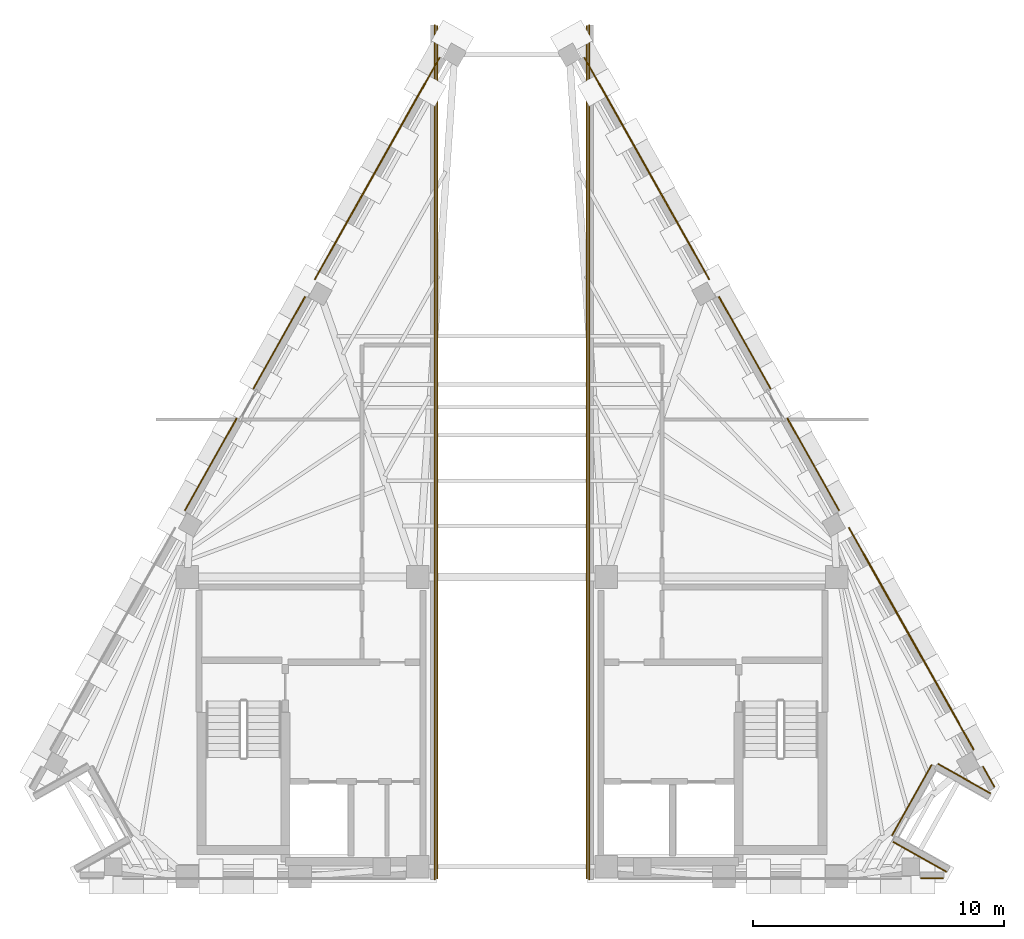
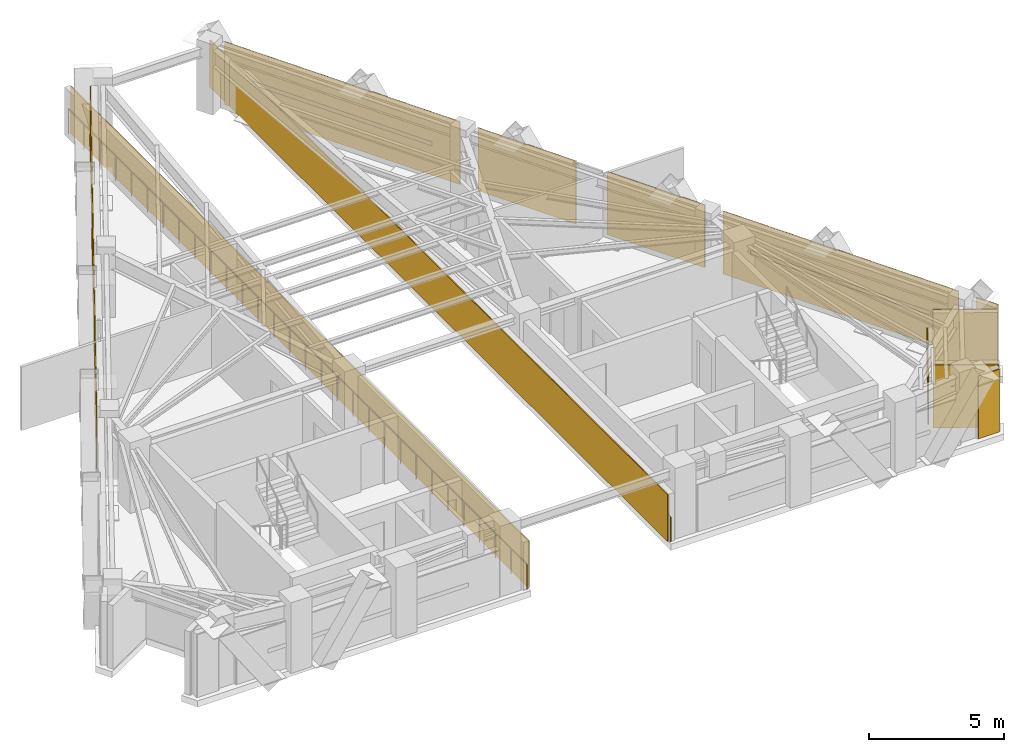
# One storey, part 6 of 6: 14 coverings, 3 shading devices, 2 railings.
"""IFC4 building model written with IfcOpenShell, lengths in metres."""

from ifc_helpers import new_model, si_unit, direction, frame, origin, origin_2d, place, context, subcontext, project, spatial, polyline, rectangle, circle, outline, extrude, material, layer, layer_set, material_profile, profile_set, type_object, element, save


model = new_model("IFC4")

# Units and contexts
model_context = context("Model", 3, precision=1e-05, world=origin(), true_north=direction((0.0, 1.0)))
body_context = subcontext(model_context, "Body", "Model", "MODEL_VIEW")
ifc_project = project(units=[si_unit("LENGTHUNIT", "METRE"), si_unit("AREAUNIT", "SQUARE_METRE"), si_unit("VOLUMEUNIT", "CUBIC_METRE"), si_unit("PLANEANGLEUNIT", "RADIAN"), si_unit("MASSUNIT", "GRAM", prefix="KILO")], contexts=[model_context])

# Site, building, storey
site_placement = place(None, origin())
site = spatial("IfcSite", under=ifc_project, at=site_placement, CompositionType="ELEMENT")
building_placement = place(site_placement, origin())
building = spatial("IfcBuilding", under=site, at=building_placement, Name="Quenlor Broadcast Tower", CompositionType="ELEMENT")
storey_placement = place(building_placement, frame((0.0, 0.0, 277.300048828125)))
storey = spatial("IfcBuildingStorey", under=building, at=storey_placement, Name="L77", CompositionType="ELEMENT", Elevation=277.300048828125)

# Coverings
ifc_material_1 = material(Name="Architectural Terracotta Ceramic", Category="masonry")
ifc_layer = layer(ifc_material_1, 0.044921875)
ifc_layer_set = layer_set([ifc_layer], Name="Fluted Terracotta Rainscreen Cladding Panel")
covering_type = type_object("IfcCoveringType", Name="Fluted Terracotta Rainscreen Cladding Panel", PredefinedType="CLADDING", material=ifc_layer_set)
covering_1_placement = place(storey_placement, frame((0.0, 0.0, 0.02001953125)))
element("IfcCovering", 1, at=covering_1_placement, inside=storey, type_object=covering_type, Name="L77 Terracotta Rainscreen Cladding L77-SHD-SS0", PredefinedType="CLADDING", context=body_context, shape_type="SweptSolid", body=[
    extrude(outline(polyline([(17.18994140625, -16.787109375), (16.28271484375, -16.787109375), (16.28271484375, -16.83203125), (17.18994140625, -16.83203125), (17.18994140625, -16.787109375)])), origin(), (0.0, 0.0, 1.0), 2.83984375),
])
covering_2_placement = place(storey_placement, frame((0.0, 0.0, 0.02001953125)))
element("IfcCovering", 2, at=covering_2_placement, inside=storey, type_object=covering_type, Name="L77 Terracotta Rainscreen Cladding L77-SHD-NES1", PredefinedType="CLADDING", context=body_context, shape_type="SweptSolid", body=[
    extrude(outline(polyline([(18.751708984375, -12.37109375), (19.210205078125, -13.185791015625), (19.24951171875, -13.163818359375), (18.791015625, -12.34912109375), (18.751708984375, -12.37109375)])), origin(), (0.0, 0.0, 1.0), 2.83984375),
])
covering_3_placement = place(storey_placement, frame((0.0, 0.0, 0.02001953125)))
element("IfcCovering", 3, at=covering_3_placement, inside=storey, type_object=covering_type, Name="L77 Terracotta Rainscreen Cladding L77-EW-NEA", PredefinedType="CLADDING", context=body_context, shape_type="SweptSolid", body=[
    extrude(outline(polyline([(2.86279296875, 15.896240234375), (7.84228515625, 7.044189453125), (7.881591796875, 7.066162109375), (2.902099609375, 15.918212890625), (2.86279296875, 15.896240234375)])), origin(), (0.0, 0.0, 1.0), 2.83984375),
])
covering_4_placement = place(storey_placement, frame((0.0, 0.0, 0.02001953125)))
element("IfcCovering", 4, at=covering_4_placement, inside=storey, type_object=covering_type, Name="L77 Terracotta Rainscreen Cladding L77-EW-NEC", PredefinedType="CLADDING", context=body_context, shape_type="SweptSolid", body=[
    extrude(outline(polyline([(13.40380859375, -2.843017578125), (18.383056640625, -11.695068359375), (18.42236328125, -11.673095703125), (13.443115234375, -2.821044921875), (13.40380859375, -2.843017578125)])), origin(), (0.0, 0.0, 1.0), 2.83984375),
])
covering_5_placement = place(storey_placement, frame((0.0, 0.0, 0.02001953125)))
element("IfcCovering", 5, at=covering_5_placement, inside=storey, type_object=covering_type, Name="L77 Terracotta Rainscreen Cladding L77-NE-SP1", PredefinedType="CLADDING", context=body_context, shape_type="SweptSolid", body=[
    extrude(outline(polyline([(8.22705078125, 6.35986328125), (10.294677734375, 2.68408203125), (10.333984375, 2.706298828125), (8.266357421875, 6.3818359375), (8.22705078125, 6.35986328125)])), origin(), (0.0, 0.0, 1.0), 2.83984375),
])
covering_6_placement = place(storey_placement, frame((0.0, 0.0, 0.02001953125)))
element("IfcCovering", 6, at=covering_6_placement, inside=storey, type_object=covering_type, Name="L77 Terracotta Rainscreen Cladding L77-NE-SP2", PredefinedType="CLADDING", context=body_context, shape_type="SweptSolid", body=[
    extrude(outline(polyline([(10.951416015625, 1.51708984375), (13.018798828125, -2.15869140625), (13.05810546875, -2.13671875), (10.990478515625, 1.5390625), (10.951416015625, 1.51708984375)])), origin(), (0.0, 0.0, 1.0), 2.83984375),
])
covering_7_placement = place(storey_placement, frame((0.0, 0.0, 0.02001953125)))
element("IfcCovering", 7, at=covering_7_placement, inside=storey, type_object=covering_type, Name="L77 Terracotta Rainscreen Cladding L77-EW-NWC", PredefinedType="CLADDING", context=body_context, shape_type="SweptSolid", body=[
    extrude(outline(polyline([(-7.84228515625, 7.044189453125), (-2.86279296875, 15.896240234375), (-2.902099609375, 15.918212890625), (-7.881591796875, 7.066162109375), (-7.84228515625, 7.044189453125)])), origin(), (0.0, 0.0, 1.0), 2.83984375),
])
covering_8_placement = place(storey_placement, frame((0.0, 0.0, 0.02001953125)))
element("IfcCovering", 8, at=covering_8_placement, inside=storey, type_object=covering_type, Name="L77 Terracotta Rainscreen Cladding L77-NW-SP1", PredefinedType="CLADDING", context=body_context, shape_type="SweptSolid", body=[
    extrude(outline(polyline([(-13.018798828125, -2.15869140625), (-10.951416015625, 1.51708984375), (-10.990478515625, 1.5390625), (-13.05810546875, -2.13671875), (-13.018798828125, -2.15869140625)])), origin(), (0.0, 0.0, 1.0), 2.83984375),
])
covering_9_placement = place(storey_placement, frame((0.0, 0.0, 0.02001953125)))
element("IfcCovering", 9, at=covering_9_placement, inside=storey, type_object=covering_type, Name="L77 Terracotta Rainscreen Cladding L77-NW-SP2", PredefinedType="CLADDING", context=body_context, shape_type="SweptSolid", body=[
    extrude(outline(polyline([(-10.294677734375, 2.68408203125), (-8.22705078125, 6.35986328125), (-8.266357421875, 6.3818359375), (-10.333984375, 2.706298828125), (-10.294677734375, 2.68408203125)])), origin(), (0.0, 0.0, 1.0), 2.83984375),
])
covering_10_placement = place(storey_placement, frame((0.0, 0.0, 0.02001953125)))
element("IfcCovering", 10, at=covering_10_placement, inside=storey, type_object=covering_type, Name="L77 Terracotta Rainscreen Cladding L77-CNR-01", PredefinedType="CLADDING", context=body_context, shape_type="SweptSolid", body=[
    extrude(outline(polyline([(17.32666015625, -16.529541015625), (15.199951171875, -15.333251953125), (15.177978515625, -15.372314453125), (17.3046875, -16.568603515625), (17.32666015625, -16.529541015625)])), origin(), (0.0, 0.0, 1.0), 2.83984375),
])
covering_11_placement = place(storey_placement, frame((0.0, 0.0, 0.02001953125)))
element("IfcCovering", 11, at=covering_11_placement, inside=storey, type_object=covering_type, Name="L77 Terracotta Rainscreen Cladding L77-CNR-02", PredefinedType="CLADDING", context=body_context, shape_type="SweptSolid", body=[
    extrude(outline(polyline([(15.16552734375, -15.10498046875), (16.7421875, -12.302001953125), (16.702880859375, -12.280029296875), (15.126220703125, -15.0830078125), (15.16552734375, -15.10498046875)])), origin(), (0.0, 0.0, 1.0), 2.1240234375),
])
covering_12_placement = place(storey_placement, frame((0.0, 0.0, 0.02001953125)))
element("IfcCovering", 12, at=covering_12_placement, inside=storey, type_object=covering_type, Name="L77 Terracotta Rainscreen Cladding L77-CNR-03", PredefinedType="CLADDING", context=body_context, shape_type="SweptSolid", body=[
    extrude(outline(polyline([(16.970458984375, -12.267578125), (19.062255859375, -13.444091796875), (19.084228515625, -13.405029296875), (16.992431640625, -12.228271484375), (16.970458984375, -12.267578125)])), origin(), (0.0, 0.0, 1.0), 2.83984375),
])
covering_13_placement = place(storey_placement, frame((0.0, 0.0, 0.02001953125)))
element("IfcCovering", 13, at=covering_13_placement, inside=storey, type_object=covering_type, Name="L77 Terracotta Rainscreen Cladding L77-WP-CHKW", PredefinedType="CLADDING", context=body_context, shape_type="SweptSolid", body=[
    extrude(outline(polyline([(-3.008056640625, 17.169921875), (-3.008056640625, -16.820068359375), (-2.962890625, -16.820068359375), (-2.962890625, 17.169921875), (-3.008056640625, 17.169921875)])), origin(), (0.0, 0.0, 1.0), 2.1240234375),
])
covering_14_placement = place(storey_placement, frame((0.0, 0.0, 0.02001953125)))
element("IfcCovering", 14, at=covering_14_placement, inside=storey, type_object=covering_type, Name="L77 Terracotta Rainscreen Cladding L77-WP-CHKE", PredefinedType="CLADDING", context=body_context, shape_type="SweptSolid", body=[
    extrude(outline(polyline([(3.008056640625, -16.820068359375), (3.008056640625, 17.169921875), (2.962890625, 17.169921875), (2.962890625, -16.820068359375), (3.008056640625, -16.820068359375)])), origin(), (0.0, 0.0, 1.0), 2.1240234375),
])

# Railings
ifc_material_2 = material(Name="Anodised Aluminium", Category="aluminium")
railing_type = type_object("IfcRailingType", Name="Laminated Glass and Steel Perimeter Balustrade 1150", PredefinedType="BALUSTRADE", material=ifc_material_2)
railing_1_placement = place(storey_placement, frame((-3.080078125, -16.85009765625, 0.0)))
element("IfcRailing", 15, at=railing_1_placement, inside=storey, type_object=railing_type, Name="L77 Wind Portal West Edge Balustrade", PredefinedType="BALUSTRADE", context=body_context, shape_type="SweptSolid", body=[
    extrude(circle(Radius=0.02392578125, at=origin_2d()), frame((0.0, 0.0, 1.1259765625), z_axis=(0.0, 1.0, 0.0), x_axis=(-1.0, 0.0, 0.0)), (0.0, 0.0, 1.0), 34.050048828125),
    extrude(circle(Radius=0.02099609375, at=origin_2d()), origin(), (0.0, 0.0, 1.0), 1.101806640625),
    extrude(circle(Radius=0.02099609375, at=origin_2d()), frame((0.0, 1.174072265625, 0.0)), (0.0, 0.0, 1.0), 1.101806640625),
    extrude(circle(Radius=0.02099609375, at=origin_2d()), frame((0.0, 2.348388671875, 0.0)), (0.0, 0.0, 1.0), 1.101806640625),
    extrude(circle(Radius=0.02099609375, at=origin_2d()), frame((0.0, 3.5224609375, 0.0)), (0.0, 0.0, 1.0), 1.101806640625),
    extrude(circle(Radius=0.02099609375, at=origin_2d()), frame((0.0, 4.696533203125, 0.0)), (0.0, 0.0, 1.0), 1.101806640625),
    extrude(circle(Radius=0.02099609375, at=origin_2d()), frame((0.0, 5.87060546875, 0.0)), (0.0, 0.0, 1.0), 1.101806640625),
    extrude(circle(Radius=0.02099609375, at=origin_2d()), frame((0.0, 7.044921875, 0.0)), (0.0, 0.0, 1.0), 1.101806640625),
    extrude(circle(Radius=0.02099609375, at=origin_2d()), frame((0.0, 8.218994140625, 0.0)), (0.0, 0.0, 1.0), 1.101806640625),
    extrude(circle(Radius=0.02099609375, at=origin_2d()), frame((0.0, 9.39306640625, 0.0)), (0.0, 0.0, 1.0), 1.101806640625),
    extrude(circle(Radius=0.02099609375, at=origin_2d()), frame((0.0, 10.567138671875, 0.0)), (0.0, 0.0, 1.0), 1.101806640625),
    extrude(circle(Radius=0.02099609375, at=origin_2d()), frame((0.0, 11.741455078125, 0.0)), (0.0, 0.0, 1.0), 1.101806640625),
    extrude(circle(Radius=0.02099609375, at=origin_2d()), frame((0.0, 12.91552734375, 0.0)), (0.0, 0.0, 1.0), 1.101806640625),
    extrude(circle(Radius=0.02099609375, at=origin_2d()), frame((0.0, 14.089599609375, 0.0)), (0.0, 0.0, 1.0), 1.101806640625),
    extrude(circle(Radius=0.02099609375, at=origin_2d()), frame((0.0, 15.263916015625, 0.0)), (0.0, 0.0, 1.0), 1.101806640625),
    extrude(circle(Radius=0.02099609375, at=origin_2d()), frame((0.0, 16.43798828125, 0.0)), (0.0, 0.0, 1.0), 1.101806640625),
    extrude(circle(Radius=0.02099609375, at=origin_2d()), frame((0.0, 17.612060546875, 0.0)), (0.0, 0.0, 1.0), 1.101806640625),
    extrude(circle(Radius=0.02099609375, at=origin_2d()), frame((0.0, 18.7861328125, 0.0)), (0.0, 0.0, 1.0), 1.101806640625),
    extrude(circle(Radius=0.02099609375, at=origin_2d()), frame((0.0, 19.96044921875, 0.0)), (0.0, 0.0, 1.0), 1.101806640625),
    extrude(circle(Radius=0.02099609375, at=origin_2d()), frame((0.0, 21.134521484375, 0.0)), (0.0, 0.0, 1.0), 1.101806640625),
    extrude(circle(Radius=0.02099609375, at=origin_2d()), frame((0.0, 22.30859375, 0.0)), (0.0, 0.0, 1.0), 1.101806640625),
    extrude(circle(Radius=0.02099609375, at=origin_2d()), frame((0.0, 23.48291015625, 0.0)), (0.0, 0.0, 1.0), 1.101806640625),
    extrude(circle(Radius=0.02099609375, at=origin_2d()), frame((0.0, 24.656982421875, 0.0)), (0.0, 0.0, 1.0), 1.101806640625),
    extrude(circle(Radius=0.02099609375, at=origin_2d()), frame((0.0, 25.8310546875, 0.0)), (0.0, 0.0, 1.0), 1.101806640625),
    extrude(circle(Radius=0.02099609375, at=origin_2d()), frame((0.0, 27.005126953125, 0.0)), (0.0, 0.0, 1.0), 1.101806640625),
    extrude(circle(Radius=0.02099609375, at=origin_2d()), frame((0.0, 28.179443359375, 0.0)), (0.0, 0.0, 1.0), 1.101806640625),
    extrude(circle(Radius=0.02099609375, at=origin_2d()), frame((0.0, 29.353515625, 0.0)), (0.0, 0.0, 1.0), 1.101806640625),
    extrude(circle(Radius=0.02099609375, at=origin_2d()), frame((0.0, 30.527587890625, 0.0)), (0.0, 0.0, 1.0), 1.101806640625),
    extrude(circle(Radius=0.02099609375, at=origin_2d()), frame((0.0, 31.70166015625, 0.0)), (0.0, 0.0, 1.0), 1.101806640625),
    extrude(circle(Radius=0.02099609375, at=origin_2d()), frame((0.0, 32.8759765625, 0.0)), (0.0, 0.0, 1.0), 1.101806640625),
    extrude(circle(Radius=0.02099609375, at=origin_2d()), frame((0.0, 34.050048828125, 0.0)), (0.0, 0.0, 1.0), 1.101806640625),
])
railing_2_placement = place(storey_placement, frame((3.080078125, -16.85009765625, 0.0)))
element("IfcRailing", 16, at=railing_2_placement, inside=storey, type_object=railing_type, Name="L77 Wind Portal East Edge Balustrade", PredefinedType="BALUSTRADE", context=body_context, shape_type="SweptSolid", body=[
    extrude(circle(Radius=0.02392578125, at=origin_2d()), frame((0.0, 0.0, 1.1259765625), z_axis=(0.0, 1.0, 0.0), x_axis=(-1.0, 0.0, 0.0)), (0.0, 0.0, 1.0), 34.050048828125),
    extrude(circle(Radius=0.02099609375, at=origin_2d()), origin(), (0.0, 0.0, 1.0), 1.101806640625),
    extrude(circle(Radius=0.02099609375, at=origin_2d()), frame((0.0, 1.174072265625, 0.0)), (0.0, 0.0, 1.0), 1.101806640625),
    extrude(circle(Radius=0.02099609375, at=origin_2d()), frame((0.0, 2.348388671875, 0.0)), (0.0, 0.0, 1.0), 1.101806640625),
    extrude(circle(Radius=0.02099609375, at=origin_2d()), frame((0.0, 3.5224609375, 0.0)), (0.0, 0.0, 1.0), 1.101806640625),
    extrude(circle(Radius=0.02099609375, at=origin_2d()), frame((0.0, 4.696533203125, 0.0)), (0.0, 0.0, 1.0), 1.101806640625),
    extrude(circle(Radius=0.02099609375, at=origin_2d()), frame((0.0, 5.87060546875, 0.0)), (0.0, 0.0, 1.0), 1.101806640625),
    extrude(circle(Radius=0.02099609375, at=origin_2d()), frame((0.0, 7.044921875, 0.0)), (0.0, 0.0, 1.0), 1.101806640625),
    extrude(circle(Radius=0.02099609375, at=origin_2d()), frame((0.0, 8.218994140625, 0.0)), (0.0, 0.0, 1.0), 1.101806640625),
    extrude(circle(Radius=0.02099609375, at=origin_2d()), frame((0.0, 9.39306640625, 0.0)), (0.0, 0.0, 1.0), 1.101806640625),
    extrude(circle(Radius=0.02099609375, at=origin_2d()), frame((0.0, 10.567138671875, 0.0)), (0.0, 0.0, 1.0), 1.101806640625),
    extrude(circle(Radius=0.02099609375, at=origin_2d()), frame((0.0, 11.741455078125, 0.0)), (0.0, 0.0, 1.0), 1.101806640625),
    extrude(circle(Radius=0.02099609375, at=origin_2d()), frame((0.0, 12.91552734375, 0.0)), (0.0, 0.0, 1.0), 1.101806640625),
    extrude(circle(Radius=0.02099609375, at=origin_2d()), frame((0.0, 14.089599609375, 0.0)), (0.0, 0.0, 1.0), 1.101806640625),
    extrude(circle(Radius=0.02099609375, at=origin_2d()), frame((0.0, 15.263916015625, 0.0)), (0.0, 0.0, 1.0), 1.101806640625),
    extrude(circle(Radius=0.02099609375, at=origin_2d()), frame((0.0, 16.43798828125, 0.0)), (0.0, 0.0, 1.0), 1.101806640625),
    extrude(circle(Radius=0.02099609375, at=origin_2d()), frame((0.0, 17.612060546875, 0.0)), (0.0, 0.0, 1.0), 1.101806640625),
    extrude(circle(Radius=0.02099609375, at=origin_2d()), frame((0.0, 18.7861328125, 0.0)), (0.0, 0.0, 1.0), 1.101806640625),
    extrude(circle(Radius=0.02099609375, at=origin_2d()), frame((0.0, 19.96044921875, 0.0)), (0.0, 0.0, 1.0), 1.101806640625),
    extrude(circle(Radius=0.02099609375, at=origin_2d()), frame((0.0, 21.134521484375, 0.0)), (0.0, 0.0, 1.0), 1.101806640625),
    extrude(circle(Radius=0.02099609375, at=origin_2d()), frame((0.0, 22.30859375, 0.0)), (0.0, 0.0, 1.0), 1.101806640625),
    extrude(circle(Radius=0.02099609375, at=origin_2d()), frame((0.0, 23.48291015625, 0.0)), (0.0, 0.0, 1.0), 1.101806640625),
    extrude(circle(Radius=0.02099609375, at=origin_2d()), frame((0.0, 24.656982421875, 0.0)), (0.0, 0.0, 1.0), 1.101806640625),
    extrude(circle(Radius=0.02099609375, at=origin_2d()), frame((0.0, 25.8310546875, 0.0)), (0.0, 0.0, 1.0), 1.101806640625),
    extrude(circle(Radius=0.02099609375, at=origin_2d()), frame((0.0, 27.005126953125, 0.0)), (0.0, 0.0, 1.0), 1.101806640625),
    extrude(circle(Radius=0.02099609375, at=origin_2d()), frame((0.0, 28.179443359375, 0.0)), (0.0, 0.0, 1.0), 1.101806640625),
    extrude(circle(Radius=0.02099609375, at=origin_2d()), frame((0.0, 29.353515625, 0.0)), (0.0, 0.0, 1.0), 1.101806640625),
    extrude(circle(Radius=0.02099609375, at=origin_2d()), frame((0.0, 30.527587890625, 0.0)), (0.0, 0.0, 1.0), 1.101806640625),
    extrude(circle(Radius=0.02099609375, at=origin_2d()), frame((0.0, 31.70166015625, 0.0)), (0.0, 0.0, 1.0), 1.101806640625),
    extrude(circle(Radius=0.02099609375, at=origin_2d()), frame((0.0, 32.8759765625, 0.0)), (0.0, 0.0, 1.0), 1.101806640625),
    extrude(circle(Radius=0.02099609375, at=origin_2d()), frame((0.0, 34.050048828125, 0.0)), (0.0, 0.0, 1.0), 1.101806640625),
])

# Shading devices
ifc_material_3 = material(Name="Architectural Terracotta Ceramic", Category="masonry")
ifc_material_profile = material_profile(ifc_material_3, rectangle(XDim=0.06005859375, YDim=0.179931640625, at=origin_2d()))
ifc_profile_set = profile_set([ifc_material_profile], Name="Architectural Terracotta Ceramic LVR60x180")
shading_device_type = type_object("IfcShadingDeviceType", Name="Terracotta Acoustic Plant Weather Louvre 180", PredefinedType="JALOUSIE", material=ifc_profile_set)
shading_device_1_placement = place(storey_placement, frame((3.471923828125, 14.866455078125, 1.43994140625), z_axis=(0.490262732485, -0.871574697393, 0.0), x_axis=(0.871574697393, 0.490262732485, 0.0)))
element("IfcShadingDevice", 17, at=shading_device_1_placement, inside=storey, type_object=shading_device_type, Name="L77 Plant Weather Louvre L77-LV-NEA", PredefinedType="JALOUSIE", context=body_context, shape_type="SweptSolid", body=[
    extrude(rectangle(XDim=0.06005859375, YDim=0.179931640625, at=origin_2d()), origin(), (0.0, 0.0, 1.0), 7.764404296875),
])
shading_device_2_placement = place(storey_placement, frame((14.0126953125, -3.872802734375, 1.43994140625), z_axis=(0.490276168503, -0.871567139467, 0.0), x_axis=(0.871567139467, 0.490276168503, 0.0)))
element("IfcShadingDevice", 18, at=shading_device_2_placement, inside=storey, type_object=shading_device_type, Name="L77 Plant Weather Louvre L77-LV-NEC", PredefinedType="JALOUSIE", context=body_context, shape_type="SweptSolid", body=[
    extrude(rectangle(XDim=0.06005859375, YDim=0.179931640625, at=origin_2d()), origin(), (0.0, 0.0, 1.0), 7.76416015625),
])
shading_device_3_placement = place(storey_placement, frame((-7.278564453125, 8.09912109375, 1.43994140625), z_axis=(0.490262732485, 0.871574697393, 0.0), x_axis=(-0.871574697393, 0.490262732485, 0.0)))
element("IfcShadingDevice", 19, at=shading_device_3_placement, inside=storey, type_object=shading_device_type, Name="L77 Plant Weather Louvre L77-LV-NWC", PredefinedType="JALOUSIE", context=body_context, shape_type="SweptSolid", body=[
    extrude(rectangle(XDim=0.06005859375, YDim=0.179931640625, at=origin_2d()), origin(), (0.0, 0.0, 1.0), 7.764404296875),
])

save(model, "model.ifc")
